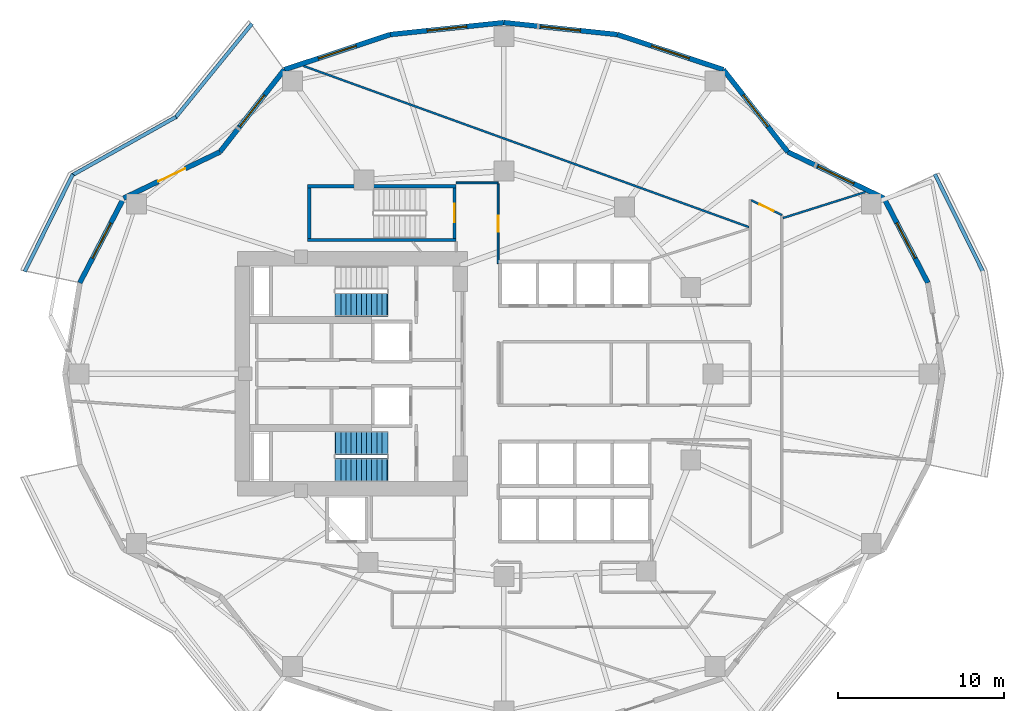
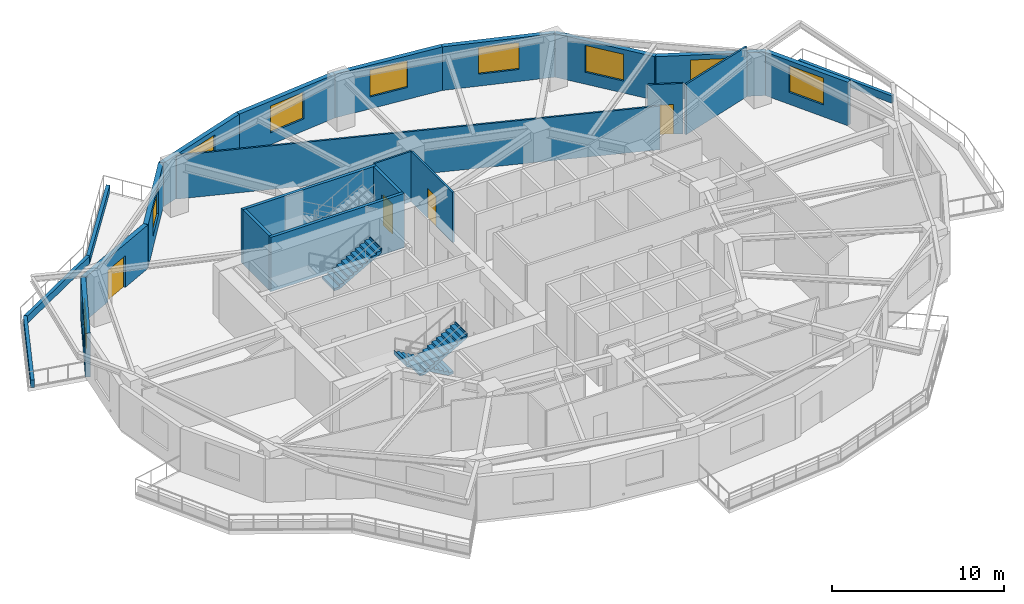
# One storey, part 6 of 11: 23 walls, 9 windows, 4 doors, 3 stair flights, 13 openings, 2 elements without a shape of their own.
"""IFC4 building model written with IfcOpenShell, lengths in metres."""

from ifc_helpers import new_model, si_unit, direction, frame, frame_2d, origin, place, context, subcontext, project, spatial, polyline, rectangle, outline, extrude, material, layer, layer_set, type_object, element, fill, aggregate, save


model = new_model("IFC4")

# Units and contexts
model_context = context("Model", 3, precision=1e-05, world=origin(), true_north=direction((0.0, 1.0)))
body_context = subcontext(model_context, "Body", "Model", "MODEL_VIEW")
ifc_project = project(units=[si_unit("LENGTHUNIT", "METRE"), si_unit("AREAUNIT", "SQUARE_METRE"), si_unit("VOLUMEUNIT", "CUBIC_METRE"), si_unit("PLANEANGLEUNIT", "RADIAN"), si_unit("MASSUNIT", "GRAM", prefix="KILO")], contexts=[model_context])

# Site, building, storey
site_placement = place(None, origin())
site = spatial("IfcSite", under=ifc_project, at=site_placement, CompositionType="ELEMENT")
building_placement = place(site_placement, origin())
building = spatial("IfcBuilding", under=site, at=building_placement, Name="Kolvaren Gate Tower and Convention Centre", CompositionType="ELEMENT")
storey_placement = place(building_placement, frame((0.0, 0.0, 80.39990234375)))
storey = spatial("IfcBuildingStorey", under=building, at=storey_placement, Name="L19", CompositionType="ELEMENT", Elevation=80.39990234375)

# Wall
ifc_material_1 = material(Name="Fire-Rated Acoustic Gypsum Stud Partition", Category="gypsum")
ifc_layer_1 = layer(ifc_material_1, 0.1201171875)
ifc_layer_set_1 = layer_set([ifc_layer_1], Name="Fire-Rated Acoustic Gypsum Stud Partition")
wall_type_1 = type_object("IfcWallType", Name="ARCH-WL-PART-120", PredefinedType="PARTITIONING", material=ifc_layer_set_1)
wall_1_placement = place(storey_placement, frame((27.25, 38.5, 0.0), z_axis=(0.0, 0.0, 1.0), x_axis=(1.0, 0.0, 0.0)))
element("IfcWall", 1, at=wall_1_placement, inside=storey, type_object=wall_type_1, Name="Interior Partition WL-L19-INT-027", PredefinedType="PARTITIONING", context=body_context, shape_type="SweptSolid", body=[
    extrude(rectangle(XDim=2.530029296875, YDim=0.1201171875, at=frame_2d((1.26513671875, 0.0))), origin(), (0.0, 0.0, 1.0), 3.570068359375),
])

# Wall, opening, door
wall_2_placement = place(storey_placement, frame((29.780029296875, 33.639892578125, 0.0), z_axis=(0.0, 0.0, 1.0), x_axis=(0.0, 1.0, 0.0)))
wall_2 = element("IfcWall", 2, at=wall_2_placement, inside=storey, type_object=wall_type_1, Name="Interior Partition WL-L19-INT-030", PredefinedType="PARTITIONING", context=body_context, shape_type="SweptSolid", body=[
    extrude(rectangle(XDim=4.798095703125, YDim=0.1201171875, at=frame_2d((2.39892578125, 0.0))), origin(), (0.0, 0.0, 1.0), 3.570068359375),
])
opening_1_placement = place(wall_2_placement, frame((1.924072265625, 0.0, 0.0)))
opening_1 = element("IfcOpeningElement", 3, at=opening_1_placement, cuts=wall_2, Name="Opening DR-01", PredefinedType="OPENING", context=body_context, shape_type="SweptSolid", body=[
    extrude(rectangle(XDim=0.949951171875, YDim=2.10009765625, at=frame_2d((0.47509765625, 1.050048828125))), frame((0.0, 0.070068359375, 0.0), z_axis=(0.0, -1.0, 0.0), x_axis=(1.0, 0.0, 0.0)), (0.0, 0.0, 1.0), 0.14013671875),
])
ifc_material_2 = material(Name="Painted Architectural Steelwork ASTM A500 Grade C 345 MPa", Category="steel")
door_type_1 = type_object("IfcDoorType", Name="ARCH-DR-RISER-950", OperationType="SINGLE_SWING_RIGHT", PredefinedType="DOOR", material=ifc_material_2)
door_1_placement = place(opening_1_placement, origin())
door_1 = element("IfcDoor", 4, at=door_1_placement, inside=storey, type_object=door_type_1, Name="Open-Plan Office Suite Door", OperationType="SINGLE_SWING_LEFT", OverallHeight=2.10009765625, OverallWidth=0.949951171875, PredefinedType="DOOR", context=body_context, shape_type="SweptSolid", body=[
    extrude(rectangle(XDim=0.949951171875, YDim=2.10009765625, at=frame_2d((0.47509765625, 1.050048828125))), frame((0.0, 0.02490234375, 0.0), z_axis=(0.0, -1.0, 0.0), x_axis=(1.0, 0.0, 0.0)), (0.0, 0.0, 1.0), 0.050048828125),
])
fill(opening_1, door_1)

wall_3_placement = place(storey_placement, frame((45.011962890625, 37.451171875, 0.0), z_axis=(0.0, 0.0, 1.0), x_axis=(0.901304887575, -0.433185294803, 0.0)))
wall_3 = element("IfcWall", 5, at=wall_3_placement, inside=storey, type_object=wall_type_1, Name="Interior Partition WL-L19-INT-035", PredefinedType="PARTITIONING", context=body_context, shape_type="SweptSolid", body=[
    extrude(rectangle(XDim=2.0615234375, YDim=0.1201171875, at=frame_2d((1.03076171875, 0.0))), origin(), (0.0, 0.0, 1.0), 3.570068359375),
])
opening_2_placement = place(wall_3_placement, frame((0.555908203125, 0.0, 0.0)))
opening_2 = element("IfcOpeningElement", 6, at=opening_2_placement, cuts=wall_3, Name="Opening DR-01", PredefinedType="OPENING", context=body_context, shape_type="SweptSolid", body=[
    extrude(rectangle(XDim=0.949951171875, YDim=2.10009765625, at=frame_2d((0.47509765625, 1.050048828125))), frame((0.0, 0.070068359375, 0.0), z_axis=(0.0, -1.0, 0.0), x_axis=(1.0, 0.0, 0.0)), (0.0, 0.0, 1.0), 0.14013671875),
])
door_2_placement = place(opening_2_placement, origin())
door_2 = element("IfcDoor", 7, at=door_2_placement, inside=storey, type_object=door_type_1, Name="Staff Dining and Bistro Cafe Door", OperationType="SINGLE_SWING_RIGHT", OverallHeight=2.10009765625, OverallWidth=0.949951171875, PredefinedType="DOOR", context=body_context, shape_type="SweptSolid", body=[
    extrude(rectangle(XDim=0.949951171875, YDim=2.10009765625, at=frame_2d((0.47509765625, 1.050048828125))), frame((0.0, 0.02490234375, 0.0), z_axis=(0.0, -1.0, 0.0), x_axis=(1.0, 0.0, 0.0)), (0.0, 0.0, 1.0), 0.050048828125),
])
fill(opening_2, door_2)

# Walls
wall_4_placement = place(storey_placement, frame((46.931884765625, 36.379638671875, 0.0), z_axis=(0.0, 0.0, 1.0), x_axis=(0.9536443078, 0.300936096541, 0.0)))
element("IfcWall", 8, at=wall_4_placement, inside=storey, type_object=wall_type_1, Name="Interior Partition WL-L19-INT-051", PredefinedType="PARTITIONING", context=body_context, shape_type="SweptSolid", body=[
    extrude(rectangle(XDim=5.205810546875, YDim=0.1201171875, at=frame_2d((2.60302734375, 0.0))), origin(), (0.0, 0.0, 1.0), 3.570068359375),
])
wall_5_placement = place(storey_placement, frame((18.0595703125, 45.538330078125, 0.0), z_axis=(0.0, 0.0, 1.0), x_axis=(0.940354559933, -0.340195975304, 0.0)))
element("IfcWall", 9, at=wall_5_placement, inside=storey, type_object=wall_type_1, Name="Interior Partition WL-L19-INT-052", PredefinedType="PARTITIONING", context=body_context, shape_type="SweptSolid", body=[
    extrude(rectangle(XDim=28.530029296875, YDim=0.1201171875, at=frame_2d((14.26513671875, 0.0))), origin(), (0.0, 0.0, 1.0), 3.093017578125),
])
ifc_material_3 = material(Name="Piedmont Cream Honed Limestone Cladding", Category="masonry")
ifc_layer_2 = layer(ifc_material_3, 0.219970703125)
ifc_layer_set_2 = layer_set([ifc_layer_2], Name="Piedmont Cream Honed Limestone Cladding")
wall_type_2 = type_object("IfcWallType", Name="ARCH-WL-PLANTER-220", PredefinedType="PARAPET", material=ifc_layer_set_2)
wall_6_placement = place(storey_placement, frame((10.335693359375, 42.411376953125, 0.0), z_axis=(0.0, 0.0, 1.0), x_axis=(0.631819273026, 0.775115737315, 0.0)))
element("IfcWall", 10, at=wall_6_placement, inside=storey, type_object=wall_type_2, Name="Vertical-Forest Balcony Stone Planter Kerb PK-L19-1.1", PredefinedType="PARAPET", context=body_context, shape_type="SweptSolid", body=[
    extrude(rectangle(XDim=7.31591796875, YDim=0.219970703125, at=frame_2d((3.657958984375, 0.0))), origin(), (0.0, 0.0, 1.0), 0.52001953125),
])
wall_7_placement = place(storey_placement, frame((4.14697265625, 38.965576171875, 0.0), z_axis=(0.0, 0.0, 1.0), x_axis=(0.871775109335, 0.489906275468, 0.0)))
element("IfcWall", 11, at=wall_7_placement, inside=storey, type_object=wall_type_2, Name="Vertical-Forest Balcony Stone Planter Kerb PK-L19-1.2", PredefinedType="PARAPET", context=body_context, shape_type="SweptSolid", body=[
    extrude(rectangle(XDim=7.152099609375, YDim=0.219970703125, at=frame_2d((3.576171875, 0.0))), origin(), (0.0, 0.0, 1.0), 0.52001953125),
])
for number, where, z_axis, x_axis, name in (
    (12, (1.275390625, 33.153076171875, 0.0), (0.0, 0.0, 1.0), (0.442686636348, 0.89667638644, 0.0), "Vertical-Forest Balcony Stone Planter Kerb PK-L19-1.3"),
    (13, (56.077392578125, 39.021484375, 0.0), (0.0, 0.0, 1.0), (0.442686636348, -0.89667638644, 0.0), "Vertical-Forest Balcony Stone Planter Kerb PK-L19-4.3"),
):
    element("IfcWall", number, at=place(storey_placement, frame(where, z_axis=z_axis, x_axis=x_axis)), inside=storey, type_object=wall_type_2, Name=name, PredefinedType="PARAPET", context=body_context, shape_type="SweptSolid", body=[
        extrude(rectangle(XDim=6.544677734375, YDim=0.219970703125, at=frame_2d((3.2724609375, 0.0))), origin(), (0.0, 0.0, 1.0), 0.52001953125),
    ])

# Wall, opening, window
ifc_layer_3 = layer(ifc_material_3, 0.300048828125)
ifc_layer_set_3 = layer_set([ifc_layer_3], Name="Piedmont Cream Honed Limestone Cladding")
wall_type_3 = type_object("IfcWallType", Name="ARCH-WL-STONE-300", PredefinedType="SOLIDWALL", material=ifc_layer_set_3)
wall_8_placement = place(storey_placement, frame((53.0205078125, 37.574951171875, 0.0), z_axis=(0.0, 0.0, 1.0), x_axis=(0.459800981414, -0.888021991558, 0.0)))
wall_8 = element("IfcWall", 14, at=wall_8_placement, inside=storey, type_object=wall_type_3, Name="Tower L19 Honed Stone Spandrel Wall EW-01", PredefinedType="SOLIDWALL", context=body_context, shape_type="SweptSolid", body=[
    extrude(rectangle(XDim=5.744140625, YDim=0.300048828125, at=frame_2d((2.8720703125, 0.0))), origin(), (0.0, 0.0, 1.0), 3.093017578125),
])
opening_3_placement = place(wall_8_placement, frame((1.672119140625, 0.0, 0.85009765625)))
opening_3 = element("IfcOpeningElement", 15, at=opening_3_placement, cuts=wall_8, Name="Opening W-01", PredefinedType="OPENING", context=body_context, shape_type="SweptSolid", body=[
    extrude(rectangle(XDim=2.39990234375, YDim=1.89990234375, at=frame_2d((1.199951171875, 0.949951171875))), frame((0.0, 0.159912109375, 0.0), z_axis=(0.0, -1.0, 0.0), x_axis=(1.0, 0.0, 0.0)), (0.0, 0.0, 1.0), 0.320068359375),
])
ifc_material_4 = material(Name="Low-E Triple Insulated Glazing Unit 44 mm", Category="glass")
window_type = type_object("IfcWindowType", Name="ARCH-WN-OFF-2400", PartitioningType="SINGLE_PANEL", PredefinedType="WINDOW", material=ifc_material_4)
window_1_placement = place(opening_3_placement, origin())
window_1 = element("IfcWindow", 16, at=window_1_placement, inside=storey, type_object=window_type, Name="Tower L19 Punched Stone Facade Window W-01", OverallHeight=1.89990234375, OverallWidth=2.39990234375, PartitioningType="SINGLE_PANEL", PredefinedType="WINDOW", context=body_context, shape_type="SweptSolid", body=[
    extrude(rectangle(XDim=2.39990234375, YDim=1.89990234375, at=frame_2d((1.199951171875, 0.949951171875))), frame((0.0, 0.030029296875, 0.0), z_axis=(0.0, -1.0, 0.0), x_axis=(1.0, 0.0, 0.0)), (0.0, 0.0, 1.0), 0.06005859375),
])
fill(opening_3, window_1)

wall_9_placement = place(storey_placement, frame((47.223876953125, 40.360107421875, 0.0), z_axis=(0.0, 0.0, 1.0), x_axis=(0.901354747727, -0.433081538224, 0.0)))
wall_9 = element("IfcWall", 17, at=wall_9_placement, inside=storey, type_object=wall_type_3, Name="Tower L19 Honed Stone Spandrel Wall EW-02", PredefinedType="SOLIDWALL", context=body_context, shape_type="SweptSolid", body=[
    extrude(rectangle(XDim=6.430908203125, YDim=0.300048828125, at=frame_2d((3.21533203125, 0.0))), origin(), (0.0, 0.0, 1.0), 3.093017578125),
])
opening_4_placement = place(wall_9_placement, frame((2.014892578125, 0.0, 0.85009765625)))
opening_4 = element("IfcOpeningElement", 18, at=opening_4_placement, cuts=wall_9, Name="Opening W-01", PredefinedType="OPENING", context=body_context, shape_type="SweptSolid", body=[
    extrude(rectangle(XDim=2.39990234375, YDim=1.89990234375, at=frame_2d((1.199951171875, 0.949951171875))), frame((0.0, 0.159912109375, 0.0), z_axis=(0.0, -1.0, 0.0), x_axis=(1.0, 0.0, 0.0)), (0.0, 0.0, 1.0), 0.320068359375),
])
window_2_placement = place(opening_4_placement, origin())
window_2 = element("IfcWindow", 19, at=window_2_placement, inside=storey, type_object=window_type, Name="Tower L19 Punched Stone Facade Window W-02", OverallHeight=1.89990234375, OverallWidth=2.39990234375, PartitioningType="SINGLE_PANEL", PredefinedType="WINDOW", context=body_context, shape_type="SweptSolid", body=[
    extrude(rectangle(XDim=2.39990234375, YDim=1.89990234375, at=frame_2d((1.199951171875, 0.949951171875))), frame((0.0, 0.030029296875, 0.0), z_axis=(0.0, -1.0, 0.0), x_axis=(1.0, 0.0, 0.0)), (0.0, 0.0, 1.0), 0.06005859375),
])
fill(opening_4, window_2)

wall_10_placement = place(storey_placement, frame((43.34375, 45.31640625, 0.0), z_axis=(0.0, 0.0, 1.0), x_axis=(0.616434798832, -0.78740595552, 0.0)))
wall_10 = element("IfcWall", 20, at=wall_10_placement, inside=storey, type_object=wall_type_3, Name="Tower L19 Honed Stone Spandrel Wall EW-03", PredefinedType="SOLIDWALL", context=body_context, shape_type="SweptSolid", body=[
    extrude(rectangle(XDim=6.29443359375, YDim=0.300048828125, at=frame_2d((3.147216796875, 0.0))), origin(), (0.0, 0.0, 1.0), 3.093017578125),
])
opening_5_placement = place(wall_10_placement, frame((1.947021484375, 0.0, 0.85009765625)))
opening_5 = element("IfcOpeningElement", 21, at=opening_5_placement, cuts=wall_10, Name="Opening W-01", PredefinedType="OPENING", context=body_context, shape_type="SweptSolid", body=[
    extrude(rectangle(XDim=2.39990234375, YDim=1.89990234375, at=frame_2d((1.199951171875, 0.949951171875))), frame((0.0, 0.159912109375, 0.0), z_axis=(0.0, -1.0, 0.0), x_axis=(1.0, 0.0, 0.0)), (0.0, 0.0, 1.0), 0.320068359375),
])
window_3_placement = place(opening_5_placement, origin())
window_3 = element("IfcWindow", 22, at=window_3_placement, inside=storey, type_object=window_type, Name="Tower L19 Punched Stone Facade Window W-03", OverallHeight=1.89990234375, OverallWidth=2.39990234375, PartitioningType="SINGLE_PANEL", PredefinedType="WINDOW", context=body_context, shape_type="SweptSolid", body=[
    extrude(rectangle(XDim=2.39990234375, YDim=1.89990234375, at=frame_2d((1.199951171875, 0.949951171875))), frame((0.0, 0.030029296875, 0.0), z_axis=(0.0, -1.0, 0.0), x_axis=(1.0, 0.0, 0.0)), (0.0, 0.0, 1.0), 0.06005859375),
])
fill(opening_5, window_3)

wall_11_placement = place(storey_placement, frame((36.967529296875, 47.42919921875, 0.0), z_axis=(0.0, 0.0, 1.0), x_axis=(0.949245153629, -0.314537181127, 0.0)))
wall_11 = element("IfcWall", 23, at=wall_11_placement, inside=storey, type_object=wall_type_3, Name="Tower L19 Honed Stone Spandrel Wall EW-04", PredefinedType="SOLIDWALL", context=body_context, shape_type="SweptSolid", body=[
    extrude(rectangle(XDim=6.717041015625, YDim=0.300048828125, at=frame_2d((3.3583984375, 0.0))), origin(), (0.0, 0.0, 1.0), 3.093017578125),
])
opening_6_placement = place(wall_11_placement, frame((2.158935546875, 0.0, 0.85009765625)))
opening_6 = element("IfcOpeningElement", 24, at=opening_6_placement, cuts=wall_11, Name="Opening W-01", PredefinedType="OPENING", context=body_context, shape_type="SweptSolid", body=[
    extrude(rectangle(XDim=2.39990234375, YDim=1.89990234375, at=frame_2d((1.199951171875, 0.949951171875))), frame((0.0, 0.159912109375, 0.0), z_axis=(0.0, -1.0, 0.0), x_axis=(1.0, 0.0, 0.0)), (0.0, 0.0, 1.0), 0.320068359375),
])
window_4_placement = place(opening_6_placement, origin())
window_4 = element("IfcWindow", 25, at=window_4_placement, inside=storey, type_object=window_type, Name="Tower L19 Punched Stone Facade Window W-04", OverallHeight=1.89990234375, OverallWidth=2.39990234375, PartitioningType="SINGLE_PANEL", PredefinedType="WINDOW", context=body_context, shape_type="SweptSolid", body=[
    extrude(rectangle(XDim=2.39990234375, YDim=1.89990234375, at=frame_2d((1.199951171875, 0.949951171875))), frame((0.0, 0.030029296875, 0.0), z_axis=(0.0, -1.0, 0.0), x_axis=(1.0, 0.0, 0.0)), (0.0, 0.0, 1.0), 0.06005859375),
])
fill(opening_6, window_4)

wall_12_placement = place(storey_placement, frame((30.125, 48.14990234375, 0.0), z_axis=(0.0, 0.0, 1.0), x_axis=(0.994498840295, -0.104747585419, 0.0)))
wall_12 = element("IfcWall", 26, at=wall_12_placement, inside=storey, type_object=wall_type_3, Name="Tower L19 Honed Stone Spandrel Wall EW-05", PredefinedType="SOLIDWALL", context=body_context, shape_type="SweptSolid", body=[
    extrude(rectangle(XDim=6.88037109375, YDim=0.300048828125, at=frame_2d((3.440185546875, 0.0))), origin(), (0.0, 0.0, 1.0), 3.093017578125),
])
opening_7_placement = place(wall_12_placement, frame((2.239990234375, 0.0, 0.85009765625)))
opening_7 = element("IfcOpeningElement", 27, at=opening_7_placement, cuts=wall_12, Name="Opening W-01", PredefinedType="OPENING", context=body_context, shape_type="SweptSolid", body=[
    extrude(rectangle(XDim=2.39990234375, YDim=1.89990234375, at=frame_2d((1.199951171875, 0.949951171875))), frame((0.0, 0.159912109375, 0.0), z_axis=(0.0, -1.0, 0.0), x_axis=(1.0, 0.0, 0.0)), (0.0, 0.0, 1.0), 0.320068359375),
])
window_5_placement = place(opening_7_placement, origin())
window_5 = element("IfcWindow", 28, at=window_5_placement, inside=storey, type_object=window_type, Name="Tower L19 Punched Stone Facade Window W-05", OverallHeight=1.89990234375, OverallWidth=2.39990234375, PartitioningType="SINGLE_PANEL", PredefinedType="WINDOW", context=body_context, shape_type="SweptSolid", body=[
    extrude(rectangle(XDim=2.39990234375, YDim=1.89990234375, at=frame_2d((1.199951171875, 0.949951171875))), frame((0.0, 0.030029296875, 0.0), z_axis=(0.0, -1.0, 0.0), x_axis=(1.0, 0.0, 0.0)), (0.0, 0.0, 1.0), 0.06005859375),
])
fill(opening_7, window_5)

wall_13_placement = place(storey_placement, frame((23.282470703125, 47.42919921875, 0.0), z_axis=(0.0, 0.0, 1.0), x_axis=(0.994498840295, 0.104747585419, 0.0)))
wall_13 = element("IfcWall", 29, at=wall_13_placement, inside=storey, type_object=wall_type_3, Name="Tower L19 Honed Stone Spandrel Wall EW-06", PredefinedType="SOLIDWALL", context=body_context, shape_type="SweptSolid", body=[
    extrude(rectangle(XDim=6.88037109375, YDim=0.300048828125, at=frame_2d((3.440185546875, 0.0))), origin(), (0.0, 0.0, 1.0), 3.093017578125),
])
opening_8_placement = place(wall_13_placement, frame((2.239990234375, 0.0, 0.85009765625)))
opening_8 = element("IfcOpeningElement", 30, at=opening_8_placement, cuts=wall_13, Name="Opening W-01", PredefinedType="OPENING", context=body_context, shape_type="SweptSolid", body=[
    extrude(rectangle(XDim=2.39990234375, YDim=1.89990234375, at=frame_2d((1.199951171875, 0.949951171875))), frame((0.0, 0.159912109375, 0.0), z_axis=(0.0, -1.0, 0.0), x_axis=(1.0, 0.0, 0.0)), (0.0, 0.0, 1.0), 0.320068359375),
])
window_6_placement = place(opening_8_placement, origin())
window_6 = element("IfcWindow", 31, at=window_6_placement, inside=storey, type_object=window_type, Name="Tower L19 Punched Stone Facade Window W-06", OverallHeight=1.89990234375, OverallWidth=2.39990234375, PartitioningType="SINGLE_PANEL", PredefinedType="WINDOW", context=body_context, shape_type="SweptSolid", body=[
    extrude(rectangle(XDim=2.39990234375, YDim=1.89990234375, at=frame_2d((1.199951171875, 0.949951171875))), frame((0.0, 0.030029296875, 0.0), z_axis=(0.0, -1.0, 0.0), x_axis=(1.0, 0.0, 0.0)), (0.0, 0.0, 1.0), 0.06005859375),
])
fill(opening_8, window_6)

wall_14_placement = place(storey_placement, frame((16.90625, 45.31640625, 0.0), z_axis=(0.0, 0.0, 1.0), x_axis=(0.949245153629, 0.314537181127, 0.0)))
wall_14 = element("IfcWall", 32, at=wall_14_placement, inside=storey, type_object=wall_type_3, Name="Tower L19 Honed Stone Spandrel Wall EW-07", PredefinedType="SOLIDWALL", context=body_context, shape_type="SweptSolid", body=[
    extrude(rectangle(XDim=6.717041015625, YDim=0.300048828125, at=frame_2d((3.3583984375, 0.0))), origin(), (0.0, 0.0, 1.0), 3.093017578125),
])
opening_9_placement = place(wall_14_placement, frame((2.158935546875, 0.0, 0.85009765625)))
opening_9 = element("IfcOpeningElement", 33, at=opening_9_placement, cuts=wall_14, Name="Opening W-01", PredefinedType="OPENING", context=body_context, shape_type="SweptSolid", body=[
    extrude(rectangle(XDim=2.39990234375, YDim=1.89990234375, at=frame_2d((1.199951171875, 0.949951171875))), frame((0.0, 0.159912109375, 0.0), z_axis=(0.0, -1.0, 0.0), x_axis=(1.0, 0.0, 0.0)), (0.0, 0.0, 1.0), 0.320068359375),
])
window_7_placement = place(opening_9_placement, origin())
window_7 = element("IfcWindow", 34, at=window_7_placement, inside=storey, type_object=window_type, Name="Tower L19 Punched Stone Facade Window W-07", OverallHeight=1.89990234375, OverallWidth=2.39990234375, PartitioningType="SINGLE_PANEL", PredefinedType="WINDOW", context=body_context, shape_type="SweptSolid", body=[
    extrude(rectangle(XDim=2.39990234375, YDim=1.89990234375, at=frame_2d((1.199951171875, 0.949951171875))), frame((0.0, 0.030029296875, 0.0), z_axis=(0.0, -1.0, 0.0), x_axis=(1.0, 0.0, 0.0)), (0.0, 0.0, 1.0), 0.06005859375),
])
fill(opening_9, window_7)

wall_15_placement = place(storey_placement, frame((13.026123046875, 40.360107421875, 0.0), z_axis=(0.0, 0.0, 1.0), x_axis=(0.616434798832, 0.78740595552, 0.0)))
wall_15 = element("IfcWall", 35, at=wall_15_placement, inside=storey, type_object=wall_type_3, Name="Tower L19 Honed Stone Spandrel Wall EW-08", PredefinedType="SOLIDWALL", context=body_context, shape_type="SweptSolid", body=[
    extrude(rectangle(XDim=6.29443359375, YDim=0.300048828125, at=frame_2d((3.147216796875, 0.0))), origin(), (0.0, 0.0, 1.0), 3.093017578125),
])
opening_10_placement = place(wall_15_placement, frame((1.947021484375, 0.0, 0.85009765625)))
opening_10 = element("IfcOpeningElement", 36, at=opening_10_placement, cuts=wall_15, Name="Opening W-01", PredefinedType="OPENING", context=body_context, shape_type="SweptSolid", body=[
    extrude(rectangle(XDim=2.39990234375, YDim=1.89990234375, at=frame_2d((1.199951171875, 0.949951171875))), frame((0.0, 0.159912109375, 0.0), z_axis=(0.0, -1.0, 0.0), x_axis=(1.0, 0.0, 0.0)), (0.0, 0.0, 1.0), 0.320068359375),
])
window_8_placement = place(opening_10_placement, origin())
window_8 = element("IfcWindow", 37, at=window_8_placement, inside=storey, type_object=window_type, Name="Tower L19 Punched Stone Facade Window W-08", OverallHeight=1.89990234375, OverallWidth=2.39990234375, PartitioningType="SINGLE_PANEL", PredefinedType="WINDOW", context=body_context, shape_type="SweptSolid", body=[
    extrude(rectangle(XDim=2.39990234375, YDim=1.89990234375, at=frame_2d((1.199951171875, 0.949951171875))), frame((0.0, 0.030029296875, 0.0), z_axis=(0.0, -1.0, 0.0), x_axis=(1.0, 0.0, 0.0)), (0.0, 0.0, 1.0), 0.06005859375),
])
fill(opening_10, window_8)

# Wall, opening, door
wall_16_placement = place(storey_placement, frame((7.2294921875, 37.574951171875, 0.0), z_axis=(0.0, 0.0, 1.0), x_axis=(0.901354747727, 0.433081538224, 0.0)))
wall_16 = element("IfcWall", 38, at=wall_16_placement, inside=storey, type_object=wall_type_3, Name="Tower L19 Honed Stone Spandrel Wall EW-09", PredefinedType="SOLIDWALL", context=body_context, shape_type="SweptSolid", body=[
    extrude(rectangle(XDim=6.430908203125, YDim=0.300048828125, at=frame_2d((3.21533203125, 0.0))), origin(), (0.0, 0.0, 1.0), 3.093017578125),
])
opening_11_placement = place(wall_16_placement, frame((2.31494140625, 0.0, 0.0)))
opening_11 = element("IfcOpeningElement", 39, at=opening_11_placement, cuts=wall_16, Name="Opening DB-01", PredefinedType="OPENING", context=body_context, shape_type="SweptSolid", body=[
    extrude(rectangle(XDim=1.800048828125, YDim=2.25, at=frame_2d((0.89990234375, 1.125))), frame((0.0, 0.159912109375, 0.0), z_axis=(0.0, -1.0, 0.0), x_axis=(1.0, 0.0, 0.0)), (0.0, 0.0, 1.0), 0.320068359375),
])
ifc_material_5 = material(Name="Anodized Architectural Aluminium Alloy 6063-T6", Category="aluminium")
door_type_2 = type_object("IfcDoorType", Name="ARCH-DR-BALC-1800", OperationType="SLIDING_TO_LEFT", PredefinedType="DOOR", material=ifc_material_5)
door_3_placement = place(opening_11_placement, origin())
door_3 = element("IfcDoor", 40, at=door_3_placement, inside=storey, type_object=door_type_2, Name="Planted Sky Terrace Access Door DB-L19-09", OperationType="SLIDING_TO_LEFT", OverallHeight=2.25, OverallWidth=1.800048828125, PredefinedType="DOOR", context=body_context, shape_type="SweptSolid", body=[
    extrude(rectangle(XDim=1.800048828125, YDim=2.25, at=frame_2d((0.89990234375, 1.125))), frame((0.0, 0.02490234375, 0.0), z_axis=(0.0, -1.0, 0.0), x_axis=(1.0, 0.0, 0.0)), (0.0, 0.0, 1.0), 0.050048828125),
])
fill(opening_11, door_3)

# Wall, opening, window
wall_17_placement = place(storey_placement, frame((4.58837890625, 32.47412109375, 0.0), z_axis=(0.0, 0.0, 1.0), x_axis=(0.459800981414, 0.888021991558, 0.0)))
wall_17 = element("IfcWall", 41, at=wall_17_placement, inside=storey, type_object=wall_type_3, Name="Tower L19 Honed Stone Spandrel Wall EW-10", PredefinedType="SOLIDWALL", context=body_context, shape_type="SweptSolid", body=[
    extrude(rectangle(XDim=5.744140625, YDim=0.300048828125, at=frame_2d((2.8720703125, 0.0))), origin(), (0.0, 0.0, 1.0), 3.093017578125),
])
opening_12_placement = place(wall_17_placement, frame((1.672119140625, 0.0, 0.85009765625)))
opening_12 = element("IfcOpeningElement", 42, at=opening_12_placement, cuts=wall_17, Name="Opening W-01", PredefinedType="OPENING", context=body_context, shape_type="SweptSolid", body=[
    extrude(rectangle(XDim=2.39990234375, YDim=1.89990234375, at=frame_2d((1.199951171875, 0.949951171875))), frame((0.0, 0.159912109375, 0.0), z_axis=(0.0, -1.0, 0.0), x_axis=(1.0, 0.0, 0.0)), (0.0, 0.0, 1.0), 0.320068359375),
])
window_9_placement = place(opening_12_placement, origin())
window_9 = element("IfcWindow", 43, at=window_9_placement, inside=storey, type_object=window_type, Name="Tower L19 Punched Stone Facade Window W-10", OverallHeight=1.89990234375, OverallWidth=2.39990234375, PartitioningType="SINGLE_PANEL", PredefinedType="WINDOW", context=body_context, shape_type="SweptSolid", body=[
    extrude(rectangle(XDim=2.39990234375, YDim=1.89990234375, at=frame_2d((1.199951171875, 0.949951171875))), frame((0.0, 0.030029296875, 0.0), z_axis=(0.0, -1.0, 0.0), x_axis=(1.0, 0.0, 0.0)), (0.0, 0.0, 1.0), 0.06005859375),
])
fill(opening_12, window_9)

# Wall, opening, door
ifc_material_6 = material(Name="Concrete C50/60", Category="concrete")
ifc_layer_4 = layer(ifc_material_6, 0.199951171875)
ifc_layer_set_4 = layer_set([ifc_layer_4], Name="Concrete C50/60")
wall_type_4 = type_object("IfcWallType", Name="STR-WL-SHAFT-200", PredefinedType="SHEAR", material=ifc_layer_set_4)
wall_18_placement = place(storey_placement, frame((27.14990234375, 35.159912109375, -0.27978515625), z_axis=(0.0, 0.0, 1.0), x_axis=(0.0, 1.0, 0.0)))
wall_18 = element("IfcWall", 44, at=wall_18_placement, inside=storey, type_object=wall_type_4, Name="Tower Mid-Zone Exit Stair ST-T3 L19 Structural Shear Enclosure Wall NEAR", PredefinedType="SHEAR", context=body_context, shape_type="SweptSolid", body=[
    extrude(rectangle(XDim=3.0400390625, YDim=0.199951171875, at=frame_2d((1.52001953125, 0.0))), origin(), (0.0, 0.0, 1.0), 3.849853515625),
])
opening_13_placement = place(wall_18_placement, frame((0.969970703125, 0.0, 0.280029296875)))
opening_13 = element("IfcOpeningElement", 45, at=opening_13_placement, cuts=wall_18, Name="Opening DS-01", PredefinedType="OPENING", context=body_context, shape_type="SweptSolid", body=[
    extrude(rectangle(XDim=1.10009765625, YDim=2.14990234375, at=frame_2d((0.550048828125, 1.074951171875))), frame((0.0, 0.10986328125, 0.0), z_axis=(0.0, -1.0, 0.0), x_axis=(1.0, 0.0, 0.0)), (0.0, 0.0, 1.0), 0.219970703125),
])
door_type_3 = type_object("IfcDoorType", Name="ARCH-DR-STAIR-1100", OperationType="SINGLE_SWING_LEFT", PredefinedType="DOOR", material=ifc_material_2)
door_4_placement = place(opening_13_placement, origin())
door_4 = element("IfcDoor", 46, at=door_4_placement, inside=storey, type_object=door_type_3, Name="Tower Mid-Zone Exit Stair ST-T3 L19 Fire Exit Stair Door", OperationType="SINGLE_SWING_LEFT", OverallHeight=2.14990234375, OverallWidth=1.10009765625, PredefinedType="DOOR", context=body_context, shape_type="SweptSolid", body=[
    extrude(rectangle(XDim=1.10009765625, YDim=2.14990234375, at=frame_2d((0.550048828125, 1.074951171875))), frame((0.0, 0.02490234375, 0.0), z_axis=(0.0, -1.0, 0.0), x_axis=(1.0, 0.0, 0.0)), (0.0, 0.0, 1.0), 0.050048828125),
])
fill(opening_13, door_4)

# Walls
wall_19_placement = place(storey_placement, frame((18.39990234375, 35.159912109375, -0.27978515625), z_axis=(0.0, 0.0, 1.0), x_axis=(0.0, 1.0, 0.0)))
element("IfcWall", 47, at=wall_19_placement, inside=storey, type_object=wall_type_4, Name="Tower Mid-Zone Exit Stair ST-T3 L19 Structural Shear Enclosure Wall FAR", PredefinedType="SHEAR", context=body_context, shape_type="SweptSolid", body=[
    extrude(rectangle(XDim=3.0400390625, YDim=0.199951171875, at=frame_2d((1.52001953125, 0.0))), origin(), (0.0, 0.0, 1.0), 3.849853515625),
])
for number, where, z_axis, x_axis, name in (
    (48, (18.300048828125, 38.300048828125, -0.27978515625), (0.0, 0.0, 1.0), (1.0, 0.0, 0.0), "Tower Mid-Zone Exit Stair ST-T3 L19 Structural Shear Enclosure Wall LEFT"),
    (49, (18.300048828125, 35.06005859375, -0.27978515625), (0.0, 0.0, 1.0), (1.0, 0.0, 0.0), "Tower Mid-Zone Exit Stair ST-T3 L19 Structural Shear Enclosure Wall RGHT"),
):
    element("IfcWall", number, at=place(storey_placement, frame(where, z_axis=z_axis, x_axis=x_axis)), inside=storey, type_object=wall_type_4, Name=name, PredefinedType="SHEAR", context=body_context, shape_type="SweptSolid", body=[
        extrude(rectangle(XDim=8.949951171875, YDim=0.199951171875, at=frame_2d((4.47509765625, 0.0))), origin(), (0.0, 0.0, 1.0), 3.849853515625),
    ])

# Stair, stair flight
stair_type = type_object("IfcStairType", Name="STR-STAIR-CORE", PredefinedType="HALF_TURN_STAIR", material=ifc_material_6)
stair_1_placement = place(storey_placement, origin())
stair_1 = element("IfcStair", 50, at=stair_1_placement, inside=storey, type_object=stair_type, Name="L19 Tower North Exit Stair ST-T1", PredefinedType="HALF_TURN_STAIR")
stair_flight_type = type_object("IfcStairFlightType", Name="STR-SFL-1420", PredefinedType="STRAIGHT", material=ifc_material_6)
stair_flight_1_placement = place(storey_placement, frame((20.0, 31.169921875, 1.925048828125), z_axis=(0.0, 0.0, 1.0), x_axis=(1.0, 0.0, 0.0)))
stair_flight_1 = element("IfcStairFlight", 51, at=stair_flight_1_placement, type_object=stair_flight_type, Name="ST-T1 flight 2", NumberOfRisers=11, NumberOfTreads=10, PredefinedType="STRAIGHT", RiserHeight=0.175, TreadLength=0.31, context=body_context, shape_type="SweptSolid", body=[
    extrude(outline(polyline([(-0.034912109375, 0.0), (-0.034912109375, 0.175048828125), (0.31005859375, 0.175048828125), (0.31005859375, 0.35009765625), (0.6201171875, 0.35009765625), (0.6201171875, 0.52490234375), (0.929931640625, 0.52490234375), (0.929931640625, 0.699951171875), (1.239990234375, 0.699951171875), (1.239990234375, 0.875), (1.550048828125, 0.875), (1.550048828125, 1.050048828125), (1.860107421875, 1.050048828125), (1.860107421875, 1.22509765625), (2.169921875, 1.22509765625), (2.169921875, 1.39990234375), (2.47998046875, 1.39990234375), (2.47998046875, 1.574951171875), (2.7900390625, 1.574951171875), (2.7900390625, 1.75), (3.10009765625, 1.75), (3.10009765625, 1.925048828125), (3.14501953125, 1.925048828125), (3.14501953125, 1.764892578125), (3.10009765625, 1.577880859375), (0.304931640625, 0.0), (-0.034912109375, 0.0)])), frame((0.0, 0.7099609375, 0.0), z_axis=(0.0, -1.0, 0.0), x_axis=(1.0, 0.0, 0.0)), (0.0, 0.0, 1.0), 1.419921875),
])
aggregate(stair_1, [stair_flight_1])

# Stair, stair flights
stair_2_placement = place(storey_placement, origin())
stair_2 = element("IfcStair", 52, at=stair_2_placement, inside=storey, type_object=stair_type, Name="L19 Tower South Exit Stair ST-T2", PredefinedType="HALF_TURN_STAIR")
stair_flight_2_placement = place(storey_placement, frame((23.10009765625, 22.830078125, 0.0), z_axis=(0.0, 0.0, 1.0), x_axis=(-1.0, 0.0, 0.0)))
stair_flight_2 = element("IfcStairFlight", 53, at=stair_flight_2_placement, type_object=stair_flight_type, Name="ST-T2 flight 1", NumberOfRisers=11, NumberOfTreads=10, PredefinedType="STRAIGHT", RiserHeight=0.175, TreadLength=0.31, context=body_context, shape_type="SweptSolid", body=[
    extrude(outline(polyline([(-0.034912109375, 0.0), (-0.034912109375, 0.175048828125), (0.31005859375, 0.175048828125), (0.31005859375, 0.35009765625), (0.6201171875, 0.35009765625), (0.6201171875, 0.52490234375), (0.929931640625, 0.52490234375), (0.929931640625, 0.699951171875), (1.239990234375, 0.699951171875), (1.239990234375, 0.875), (1.550048828125, 0.875), (1.550048828125, 1.050048828125), (1.860107421875, 1.050048828125), (1.860107421875, 1.22509765625), (2.169921875, 1.22509765625), (2.169921875, 1.39990234375), (2.47998046875, 1.39990234375), (2.47998046875, 1.574951171875), (2.7900390625, 1.574951171875), (2.7900390625, 1.75), (3.10009765625, 1.75), (3.10009765625, 1.925048828125), (3.14501953125, 1.925048828125), (3.14501953125, 1.764892578125), (3.10009765625, 1.577880859375), (0.304931640625, 0.0), (-0.034912109375, 0.0)])), frame((0.0, 0.7099609375, 0.0), z_axis=(0.0, -1.0, 0.0), x_axis=(1.0, 0.0, 0.0)), (0.0, 0.0, 1.0), 1.419921875),
])
stair_flight_3_placement = place(storey_placement, frame((20.0, 21.2099609375, 1.925048828125), z_axis=(0.0, 0.0, 1.0), x_axis=(1.0, 0.0, 0.0)))
stair_flight_3 = element("IfcStairFlight", 54, at=stair_flight_3_placement, type_object=stair_flight_type, Name="ST-T2 flight 2", NumberOfRisers=11, NumberOfTreads=10, PredefinedType="STRAIGHT", RiserHeight=0.175, TreadLength=0.31, context=body_context, shape_type="SweptSolid", body=[
    extrude(outline(polyline([(-0.034912109375, 0.0), (-0.034912109375, 0.175048828125), (0.31005859375, 0.175048828125), (0.31005859375, 0.35009765625), (0.6201171875, 0.35009765625), (0.6201171875, 0.52490234375), (0.929931640625, 0.52490234375), (0.929931640625, 0.699951171875), (1.239990234375, 0.699951171875), (1.239990234375, 0.875), (1.550048828125, 0.875), (1.550048828125, 1.050048828125), (1.860107421875, 1.050048828125), (1.860107421875, 1.22509765625), (2.169921875, 1.22509765625), (2.169921875, 1.39990234375), (2.47998046875, 1.39990234375), (2.47998046875, 1.574951171875), (2.7900390625, 1.574951171875), (2.7900390625, 1.75), (3.10009765625, 1.75), (3.10009765625, 1.925048828125), (3.14501953125, 1.925048828125), (3.14501953125, 1.764892578125), (3.10009765625, 1.577880859375), (0.304931640625, 0.0), (-0.034912109375, 0.0)])), frame((0.0, 0.7099609375, 0.0), z_axis=(0.0, -1.0, 0.0), x_axis=(1.0, 0.0, 0.0)), (0.0, 0.0, 1.0), 1.419921875),
])
aggregate(stair_2, [stair_flight_2, stair_flight_3])

save(model, "model.ifc")
